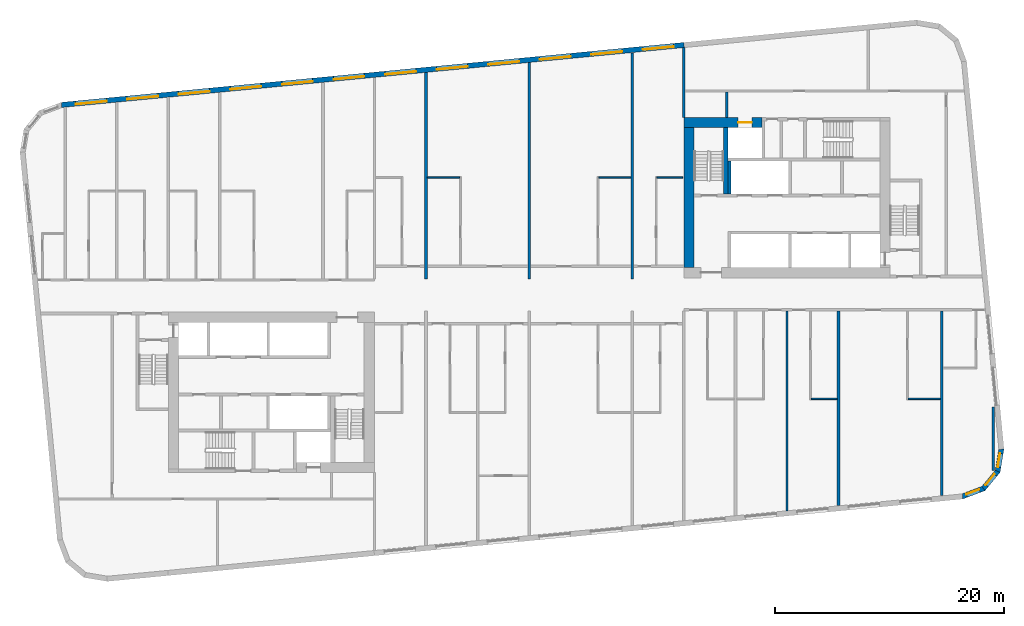
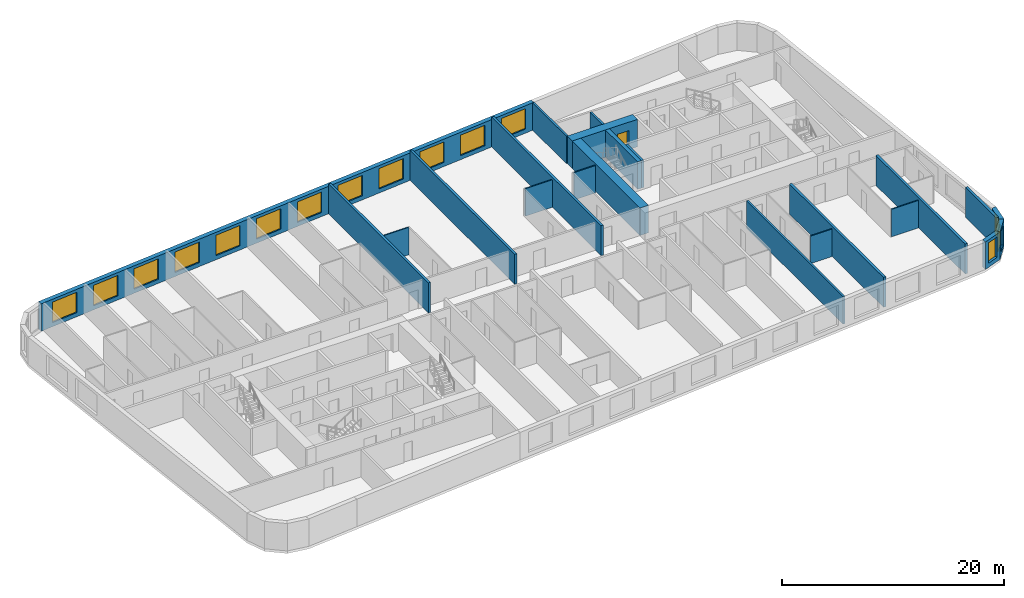
# One storey, part 6 of 12: 22 walls, 15 windows, 1 door, 16 openings.
"""IFC4 building model written with IfcOpenShell, lengths in metres."""

from ifc_helpers import new_model, si_unit, direction, frame, frame_2d, origin, place, context, subcontext, project, spatial, polyline, rectangle, outline, extrude, material, layer, layer_set, type_object, element, fill, save


model = new_model("IFC4")

# Units and contexts
model_context = context("Model", 3, precision=1e-05, world=origin(), true_north=direction((0.0, 1.0)))
body_context = subcontext(model_context, "Body", "Model", "MODEL_VIEW")
ifc_project = project(units=[si_unit("LENGTHUNIT", "METRE"), si_unit("AREAUNIT", "SQUARE_METRE"), si_unit("VOLUMEUNIT", "CUBIC_METRE"), si_unit("PLANEANGLEUNIT", "RADIAN"), si_unit("MASSUNIT", "GRAM", prefix="KILO")], contexts=[model_context])

# Site, building, storey
site_placement = place(None, origin())
site = spatial("IfcSite", under=ifc_project, at=site_placement, CompositionType="ELEMENT")
building_placement = place(site_placement, origin())
building = spatial("IfcBuilding", under=site, at=building_placement, Name="Kajstack Hotel Tower", CompositionType="ELEMENT")
storey_placement = place(building_placement, frame((0.0, 0.0, 199.89990234375)))
storey = spatial("IfcBuildingStorey", under=building, at=storey_placement, Name="L48", CompositionType="ELEMENT", Elevation=199.89990234375)

# Wall, opening, door
ifc_material_1 = material(Name="Concrete C60/75", Category="concrete")
ifc_layer_1 = layer(ifc_material_1, 0.89990234375)
ifc_layer_set_1 = layer_set([ifc_layer_1], Name="Core wall 900")
wall_type_1 = type_object("IfcWallType", Name="Core wall 900", PredefinedType="SHEAR", material=ifc_layer_set_1)
wall_1_placement = place(storey_placement, frame((13.5, 15.050048828125, 0.0), z_axis=(0.0, 0.0, 1.0), x_axis=(1.0, 0.0, 0.0)))
wall_1 = element("IfcWall", 1, at=wall_1_placement, inside=storey, type_object=wall_type_1, Name="Core wall E RS", PredefinedType="SHEAR", context=body_context, shape_type="SweptSolid", body=[
    extrude(rectangle(XDim=6.800048828125, YDim=0.89990234375, at=frame_2d((3.39990234375, 0.0))), origin(), (0.0, 0.0, 1.0), 3.02001953125),
])
opening_1_placement = place(wall_1_placement, frame((4.72509765625, 0.0, 0.0)))
opening_1 = element("IfcOpeningElement", 2, at=opening_1_placement, cuts=wall_1, Name="Opening LD-SV2", PredefinedType="OPENING", context=body_context, shape_type="SweptSolid", body=[
    extrude(rectangle(XDim=1.199951171875, YDim=2.10009765625, at=frame_2d((0.60009765625, 1.050048828125))), frame((0.0, 0.4599609375, 0.0), z_axis=(0.0, -1.0, 0.0), x_axis=(1.0, 0.0, 0.0)), (0.0, 0.0, 1.0), 0.919921875),
])
ifc_material_2 = material(Name="Stainless steel", Category="steel")
door_type = type_object("IfcDoorType", Name="Lift landing door 1200", OperationType="SLIDING_TO_LEFT", PredefinedType="DOOR", material=ifc_material_2)
door_placement = place(opening_1_placement, origin())
door = element("IfcDoor", 3, at=door_placement, inside=storey, type_object=door_type, Name="Landing door SV2", OperationType="SLIDING_TO_LEFT", OverallHeight=2.10009765625, OverallWidth=1.199951171875, PredefinedType="DOOR", context=body_context, shape_type="SweptSolid", body=[
    extrude(rectangle(XDim=1.199951171875, YDim=2.10009765625, at=frame_2d((0.60009765625, 1.050048828125))), frame((0.0, 0.02490234375, 0.0), z_axis=(0.0, -1.0, 0.0), x_axis=(1.0, 0.0, 0.0)), (0.0, 0.0, 1.0), 0.050048828125),
])
fill(opening_1, door)

# Walls
wall_2_placement = place(storey_placement, frame((13.949951171875, 2.39990234375, 0.0), z_axis=(0.0, 0.0, 1.0), x_axis=(0.0, 1.0, 0.0)))
element("IfcWall", 4, at=wall_2_placement, inside=storey, type_object=wall_type_1, Name="Core wall E RE", PredefinedType="SHEAR", context=body_context, shape_type="SweptSolid", body=[
    extrude(rectangle(XDim=12.2001953125, YDim=0.89990234375, at=frame_2d((6.10009765625, 0.0))), origin(), (0.0, 0.0, 1.0), 3.02001953125),
])
ifc_material_3 = material(Name="Twin-frame gypsum board on steel studs, mineral wool", Category="steel")
ifc_layer_2 = layer(ifc_material_3, 0.199951171875)
ifc_layer_set_2 = layer_set([ifc_layer_2], Name="Demising wall 200")
wall_type_2 = type_object("IfcWallType", Name="Demising wall 200", PredefinedType="PARTITIONING", material=ifc_layer_set_2)
wall_3_placement = place(storey_placement, frame((13.5, 15.5, 0.0), z_axis=(0.0, 0.0, 1.0), x_axis=(0.0, 1.0, 0.0)))
element("IfcWall", 5, at=wall_3_placement, inside=storey, type_object=wall_type_2, Name="G-wall-L48-001", PredefinedType="PARTITIONING", context=body_context, shape_type="SweptSolid", body=[
    extrude(rectangle(XDim=6.089111328125, YDim=0.199951171875, at=frame_2d((3.04443359375, 0.0))), origin(), (0.0, 0.0, 1.0), 3.02001953125),
])
wall_4_placement = place(storey_placement, frame((22.5, -18.833984375, 0.0), z_axis=(0.0, 0.0, 1.0), x_axis=(0.0, 1.0, 0.0)))
element("IfcWall", 6, at=wall_4_placement, inside=storey, type_object=wall_type_2, Name="G-wall-L48-045", PredefinedType="PARTITIONING", context=body_context, shape_type="SweptSolid", body=[
    extrude(rectangle(XDim=17.43408203125, YDim=0.199951171875, at=frame_2d((8.717041015625, 0.0))), origin(), (0.0, 0.0, 1.0), 3.02001953125),
])

# Wall, opening, window
ifc_material_4 = material(Name="Terracotta-faced brick masonry", Category="masonry")
ifc_layer_3 = layer(ifc_material_4, 0.449951171875)
ifc_layer_set_3 = layer_set([ifc_layer_3], Name="EW-TERRA")
wall_type_3 = type_object("IfcWallType", Name="EW-TERRA", PredefinedType="SOLIDWALL", material=ifc_layer_set_3)
wall_5_placement = place(storey_placement, frame((37.76123046875, -17.598388671875, 0.0), z_axis=(0.0, 0.0, 1.0), x_axis=(0.936677599948, 0.350192909346, 0.0)))
wall_5 = element("IfcWall", 7, at=wall_5_placement, inside=storey, type_object=wall_type_3, Name="E-wall-L48-05-00", PredefinedType="SOLIDWALL", context=body_context, shape_type="SweptSolid", body=[
    extrude(outline(polyline([(0.0, -0.22509765625), (2.070556640625, -0.224853515625), (1.949951171875, 0.22509765625), (0.12060546875, 0.22509765625), (0.0, -0.22509765625)])), origin(), (0.0, 0.0, 1.0), 3.02001953125),
])
opening_2_placement = place(wall_5_placement, frame((0.435302734375, 0.0, 0.449951171875)))
opening_2 = element("IfcOpeningElement", 8, at=opening_2_placement, cuts=wall_5, Name="Opening W3", PredefinedType="OPENING", context=body_context, shape_type="SweptSolid", body=[
    extrude(rectangle(XDim=1.199951171875, YDim=2.25, at=frame_2d((0.60009765625, 1.125))), frame((0.0, 0.23486328125, 0.0), z_axis=(0.0, -1.0, 0.0), x_axis=(1.0, 0.0, 0.0)), (0.0, 0.0, 1.0), 0.469970703125),
])
ifc_material_5 = material(Name="Timber-aluminium window, triple glazed", Category="wood")
window_type_1 = type_object("IfcWindowType", Name="WG3", PartitioningType="SINGLE_PANEL", PredefinedType="WINDOW", material=ifc_material_5)
window_1_placement = place(opening_2_placement, origin())
window_1 = element("IfcWindow", 9, at=window_1_placement, inside=storey, type_object=window_type_1, Name="Window W3 L48-05", OverallHeight=2.25, OverallWidth=1.199951171875, PartitioningType="SINGLE_PANEL", PredefinedType="WINDOW", context=body_context, shape_type="SweptSolid", body=[
    extrude(rectangle(XDim=1.199951171875, YDim=2.25, at=frame_2d((0.60009765625, 1.125))), frame((0.0, 0.090087890625, 0.0), z_axis=(0.0, -1.0, 0.0), x_axis=(1.0, 0.0, 0.0)), (0.0, 0.0, 1.0), 0.06005859375),
])
fill(opening_2, window_1)

wall_6_placement = place(storey_placement, frame((39.60595703125, -16.94091796875, 0.0), z_axis=(0.0, 0.0, 1.0), x_axis=(0.636116318187, 0.771593176315, 0.0)))
wall_6 = element("IfcWall", 10, at=wall_6_placement, inside=storey, type_object=wall_type_3, Name="E-wall-L48-06-00", PredefinedType="SOLIDWALL", context=body_context, shape_type="SweptSolid", body=[
    extrude(outline(polyline([(0.0, -0.224853515625), (2.070556640625, -0.224853515625), (1.949951171875, 0.22509765625), (0.12060546875, 0.22509765625), (0.0, -0.224853515625)])), origin(), (0.0, 0.0, 1.0), 3.02001953125),
])
opening_3_placement = place(wall_6_placement, frame((0.435302734375, 0.0, 0.449951171875)))
opening_3 = element("IfcOpeningElement", 11, at=opening_3_placement, cuts=wall_6, Name="Opening W3", PredefinedType="OPENING", context=body_context, shape_type="SweptSolid", body=[
    extrude(rectangle(XDim=1.199951171875, YDim=2.25, at=frame_2d((0.60009765625, 1.125))), frame((0.0, 0.23486328125, 0.0), z_axis=(0.0, -1.0, 0.0), x_axis=(1.0, 0.0, 0.0)), (0.0, 0.0, 1.0), 0.469970703125),
])
window_2_placement = place(opening_3_placement, origin())
window_2 = element("IfcWindow", 12, at=window_2_placement, inside=storey, type_object=window_type_1, Name="Window W3 L48-06", OverallHeight=2.25, OverallWidth=1.199951171875, PartitioningType="SINGLE_PANEL", PredefinedType="WINDOW", context=body_context, shape_type="SweptSolid", body=[
    extrude(rectangle(XDim=1.199951171875, YDim=2.25, at=frame_2d((0.60009765625, 1.125))), frame((0.0, 0.090087890625, 0.0), z_axis=(0.0, -1.0, 0.0), x_axis=(1.0, 0.0, 0.0)), (0.0, 0.0, 1.0), 0.06005859375),
])
fill(opening_3, window_2)

wall_7_placement = place(storey_placement, frame((40.874755859375, -15.44921875, 0.0), z_axis=(0.0, 0.0, 1.0), x_axis=(0.164953448126, 0.986301353518, 0.0)))
wall_7 = element("IfcWall", 13, at=wall_7_placement, inside=storey, type_object=wall_type_3, Name="E-wall-L48-07-00", PredefinedType="SOLIDWALL", context=body_context, shape_type="SweptSolid", body=[
    extrude(outline(polyline([(0.0, -0.224853515625), (2.070556640625, -0.22509765625), (1.9501953125, 0.224853515625), (0.12060546875, 0.22509765625), (0.0, -0.224853515625)])), origin(), (0.0, 0.0, 1.0), 3.02001953125),
])
opening_4_placement = place(wall_7_placement, frame((0.435302734375, 0.0, 0.449951171875)))
opening_4 = element("IfcOpeningElement", 14, at=opening_4_placement, cuts=wall_7, Name="Opening W3", PredefinedType="OPENING", context=body_context, shape_type="SweptSolid", body=[
    extrude(rectangle(XDim=1.199951171875, YDim=2.25, at=frame_2d((0.60009765625, 1.125))), frame((0.0, 0.23486328125, 0.0), z_axis=(0.0, -1.0, 0.0), x_axis=(1.0, 0.0, 0.0)), (0.0, 0.0, 1.0), 0.469970703125),
])
window_3_placement = place(opening_4_placement, origin())
window_3 = element("IfcWindow", 15, at=window_3_placement, inside=storey, type_object=window_type_1, Name="Window W3 L48-07", OverallHeight=2.25, OverallWidth=1.199951171875, PartitioningType="SINGLE_PANEL", PredefinedType="WINDOW", context=body_context, shape_type="SweptSolid", body=[
    extrude(rectangle(XDim=1.199951171875, YDim=2.25, at=frame_2d((0.60009765625, 1.125))), frame((0.0, 0.090087890625, 0.0), z_axis=(0.0, -1.0, 0.0), x_axis=(1.0, 0.0, 0.0)), (0.0, 0.0, 1.0), 0.06005859375),
])
fill(opening_4, window_3)

# Wall, openings, windows
wall_8_placement = place(storey_placement, frame((13.521484375, 21.8173828125, 0.0), z_axis=(0.0, 0.0, 1.0), x_axis=(-0.995396508751, -0.095842529008, 0.0)))
wall_8 = element("IfcWall", 16, at=wall_8_placement, inside=storey, type_object=wall_type_3, Name="E-wall-L48-12-02", PredefinedType="SOLIDWALL", context=body_context, shape_type="SweptSolid", body=[
    extrude(rectangle(XDim=54.59130859375, YDim=0.449951171875, at=frame_2d((27.295654296875, 0.0))), origin(), (0.0, 0.0, 1.0), 3.02001953125),
])
opening_5_placement = place(wall_8_placement, frame((0.910400390625, 0.0, 0.449951171875)))
opening_5 = element("IfcOpeningElement", 17, at=opening_5_placement, cuts=wall_8, Name="Opening W1", PredefinedType="OPENING", context=body_context, shape_type="SweptSolid", body=[
    extrude(rectangle(XDim=2.699951171875, YDim=2.25, at=frame_2d((1.35009765625, 1.125))), frame((0.0, 0.23486328125, 0.0), z_axis=(0.0, -1.0, 0.0), x_axis=(1.0, 0.0, 0.0)), (0.0, 0.0, 1.0), 0.469970703125),
])
opening_6_placement = place(wall_8_placement, frame((5.43115234375, 0.0, 0.449951171875)))
opening_6 = element("IfcOpeningElement", 18, at=opening_6_placement, cuts=wall_8, Name="Opening W1", PredefinedType="OPENING", context=body_context, shape_type="SweptSolid", body=[
    extrude(rectangle(XDim=2.699951171875, YDim=2.25, at=frame_2d((1.35009765625, 1.125))), frame((0.0, 0.23486328125, 0.0), z_axis=(0.0, -1.0, 0.0), x_axis=(1.0, 0.0, 0.0)), (0.0, 0.0, 1.0), 0.469970703125),
])
opening_7_placement = place(wall_8_placement, frame((9.951904296875, 0.0, 0.449951171875)))
opening_7 = element("IfcOpeningElement", 19, at=opening_7_placement, cuts=wall_8, Name="Opening W1", PredefinedType="OPENING", context=body_context, shape_type="SweptSolid", body=[
    extrude(rectangle(XDim=2.699951171875, YDim=2.25, at=frame_2d((1.35009765625, 1.125))), frame((0.0, 0.23486328125, 0.0), z_axis=(0.0, -1.0, 0.0), x_axis=(1.0, 0.0, 0.0)), (0.0, 0.0, 1.0), 0.469970703125),
])
opening_8_placement = place(wall_8_placement, frame((14.472900390625, 0.0, 0.449951171875)))
opening_8 = element("IfcOpeningElement", 20, at=opening_8_placement, cuts=wall_8, Name="Opening W1", PredefinedType="OPENING", context=body_context, shape_type="SweptSolid", body=[
    extrude(rectangle(XDim=2.699951171875, YDim=2.25, at=frame_2d((1.35009765625, 1.125))), frame((0.0, 0.23486328125, 0.0), z_axis=(0.0, -1.0, 0.0), x_axis=(1.0, 0.0, 0.0)), (0.0, 0.0, 1.0), 0.469970703125),
])
opening_9_placement = place(wall_8_placement, frame((18.99365234375, 0.0, 0.449951171875)))
opening_9 = element("IfcOpeningElement", 21, at=opening_9_placement, cuts=wall_8, Name="Opening W1", PredefinedType="OPENING", context=body_context, shape_type="SweptSolid", body=[
    extrude(rectangle(XDim=2.699951171875, YDim=2.25, at=frame_2d((1.35009765625, 1.125))), frame((0.0, 0.23486328125, 0.0), z_axis=(0.0, -1.0, 0.0), x_axis=(1.0, 0.0, 0.0)), (0.0, 0.0, 1.0), 0.469970703125),
])
opening_10_placement = place(wall_8_placement, frame((23.514404296875, 0.0, 0.449951171875)))
opening_10 = element("IfcOpeningElement", 22, at=opening_10_placement, cuts=wall_8, Name="Opening W1", PredefinedType="OPENING", context=body_context, shape_type="SweptSolid", body=[
    extrude(rectangle(XDim=2.699951171875, YDim=2.25, at=frame_2d((1.35009765625, 1.125))), frame((0.0, 0.23486328125, 0.0), z_axis=(0.0, -1.0, 0.0), x_axis=(1.0, 0.0, 0.0)), (0.0, 0.0, 1.0), 0.469970703125),
])
opening_11_placement = place(wall_8_placement, frame((28.03515625, 0.0, 0.449951171875)))
opening_11 = element("IfcOpeningElement", 23, at=opening_11_placement, cuts=wall_8, Name="Opening W1", PredefinedType="OPENING", context=body_context, shape_type="SweptSolid", body=[
    extrude(rectangle(XDim=2.699951171875, YDim=2.25, at=frame_2d((1.35009765625, 1.125))), frame((0.0, 0.23486328125, 0.0), z_axis=(0.0, -1.0, 0.0), x_axis=(1.0, 0.0, 0.0)), (0.0, 0.0, 1.0), 0.469970703125),
])
opening_12_placement = place(wall_8_placement, frame((32.555908203125, 0.0, 0.449951171875)))
opening_12 = element("IfcOpeningElement", 24, at=opening_12_placement, cuts=wall_8, Name="Opening W1", PredefinedType="OPENING", context=body_context, shape_type="SweptSolid", body=[
    extrude(rectangle(XDim=2.699951171875, YDim=2.25, at=frame_2d((1.35009765625, 1.125))), frame((0.0, 0.23486328125, 0.0), z_axis=(0.0, -1.0, 0.0), x_axis=(1.0, 0.0, 0.0)), (0.0, 0.0, 1.0), 0.469970703125),
])
opening_13_placement = place(wall_8_placement, frame((37.076904296875, 0.0, 0.449951171875)))
opening_13 = element("IfcOpeningElement", 25, at=opening_13_placement, cuts=wall_8, Name="Opening W1", PredefinedType="OPENING", context=body_context, shape_type="SweptSolid", body=[
    extrude(rectangle(XDim=2.699951171875, YDim=2.25, at=frame_2d((1.35009765625, 1.125))), frame((0.0, 0.23486328125, 0.0), z_axis=(0.0, -1.0, 0.0), x_axis=(1.0, 0.0, 0.0)), (0.0, 0.0, 1.0), 0.469970703125),
])
opening_14_placement = place(wall_8_placement, frame((41.59765625, 0.0, 0.449951171875)))
opening_14 = element("IfcOpeningElement", 26, at=opening_14_placement, cuts=wall_8, Name="Opening W1", PredefinedType="OPENING", context=body_context, shape_type="SweptSolid", body=[
    extrude(rectangle(XDim=2.699951171875, YDim=2.25, at=frame_2d((1.35009765625, 1.125))), frame((0.0, 0.23486328125, 0.0), z_axis=(0.0, -1.0, 0.0), x_axis=(1.0, 0.0, 0.0)), (0.0, 0.0, 1.0), 0.469970703125),
])
opening_15_placement = place(wall_8_placement, frame((46.118408203125, 0.0, 0.449951171875)))
opening_15 = element("IfcOpeningElement", 27, at=opening_15_placement, cuts=wall_8, Name="Opening W1", PredefinedType="OPENING", context=body_context, shape_type="SweptSolid", body=[
    extrude(rectangle(XDim=2.699951171875, YDim=2.25, at=frame_2d((1.35009765625, 1.125))), frame((0.0, 0.23486328125, 0.0), z_axis=(0.0, -1.0, 0.0), x_axis=(1.0, 0.0, 0.0)), (0.0, 0.0, 1.0), 0.469970703125),
])
opening_16_placement = place(wall_8_placement, frame((50.62890625, 0.0, 0.449951171875)))
opening_16 = element("IfcOpeningElement", 28, at=opening_16_placement, cuts=wall_8, Name="Opening W1", PredefinedType="OPENING", context=body_context, shape_type="SweptSolid", body=[
    extrude(rectangle(XDim=2.699951171875, YDim=2.25, at=frame_2d((1.35009765625, 1.125))), frame((0.0, 0.23486328125, 0.0), z_axis=(0.0, -1.0, 0.0), x_axis=(1.0, 0.0, 0.0)), (0.0, 0.0, 1.0), 0.469970703125),
])
window_type_2 = type_object("IfcWindowType", Name="WG1", PartitioningType="SINGLE_PANEL", PredefinedType="WINDOW", material=ifc_material_5)
window_4_placement = place(opening_5_placement, origin())
window_4 = element("IfcWindow", 29, at=window_4_placement, inside=storey, type_object=window_type_2, Name="Window W1 L48-12", OverallHeight=2.25, OverallWidth=2.699951171875, PartitioningType="SINGLE_PANEL", PredefinedType="WINDOW", context=body_context, shape_type="SweptSolid", body=[
    extrude(rectangle(XDim=2.699951171875, YDim=2.25, at=frame_2d((1.35009765625, 1.125))), frame((0.0, 0.090087890625, 0.0), z_axis=(0.0, -1.0, 0.0), x_axis=(1.0, 0.0, 0.0)), (0.0, 0.0, 1.0), 0.06005859375),
])
fill(opening_5, window_4)
window_5_placement = place(opening_6_placement, origin())
window_5 = element("IfcWindow", 30, at=window_5_placement, inside=storey, type_object=window_type_2, Name="Window W1 L48-12", OverallHeight=2.25, OverallWidth=2.699951171875, PartitioningType="SINGLE_PANEL", PredefinedType="WINDOW", context=body_context, shape_type="SweptSolid", body=[
    extrude(rectangle(XDim=2.699951171875, YDim=2.25, at=frame_2d((1.35009765625, 1.125))), frame((0.0, 0.090087890625, 0.0), z_axis=(0.0, -1.0, 0.0), x_axis=(1.0, 0.0, 0.0)), (0.0, 0.0, 1.0), 0.06005859375),
])
fill(opening_6, window_5)
window_6_placement = place(opening_7_placement, origin())
window_6 = element("IfcWindow", 31, at=window_6_placement, inside=storey, type_object=window_type_2, Name="Window W1 L48-12", OverallHeight=2.25, OverallWidth=2.699951171875, PartitioningType="SINGLE_PANEL", PredefinedType="WINDOW", context=body_context, shape_type="SweptSolid", body=[
    extrude(rectangle(XDim=2.699951171875, YDim=2.25, at=frame_2d((1.35009765625, 1.125))), frame((0.0, 0.090087890625, 0.0), z_axis=(0.0, -1.0, 0.0), x_axis=(1.0, 0.0, 0.0)), (0.0, 0.0, 1.0), 0.06005859375),
])
fill(opening_7, window_6)
window_7_placement = place(opening_8_placement, origin())
window_7 = element("IfcWindow", 32, at=window_7_placement, inside=storey, type_object=window_type_2, Name="Window W1 L48-12", OverallHeight=2.25, OverallWidth=2.699951171875, PartitioningType="SINGLE_PANEL", PredefinedType="WINDOW", context=body_context, shape_type="SweptSolid", body=[
    extrude(rectangle(XDim=2.699951171875, YDim=2.25, at=frame_2d((1.35009765625, 1.125))), frame((0.0, 0.090087890625, 0.0), z_axis=(0.0, -1.0, 0.0), x_axis=(1.0, 0.0, 0.0)), (0.0, 0.0, 1.0), 0.06005859375),
])
fill(opening_8, window_7)
window_8_placement = place(opening_9_placement, origin())
window_8 = element("IfcWindow", 33, at=window_8_placement, inside=storey, type_object=window_type_2, Name="Window W1 L48-12", OverallHeight=2.25, OverallWidth=2.699951171875, PartitioningType="SINGLE_PANEL", PredefinedType="WINDOW", context=body_context, shape_type="SweptSolid", body=[
    extrude(rectangle(XDim=2.699951171875, YDim=2.25, at=frame_2d((1.35009765625, 1.125))), frame((0.0, 0.090087890625, 0.0), z_axis=(0.0, -1.0, 0.0), x_axis=(1.0, 0.0, 0.0)), (0.0, 0.0, 1.0), 0.06005859375),
])
fill(opening_9, window_8)
window_9_placement = place(opening_10_placement, origin())
window_9 = element("IfcWindow", 34, at=window_9_placement, inside=storey, type_object=window_type_2, Name="Window W1 L48-12", OverallHeight=2.25, OverallWidth=2.699951171875, PartitioningType="SINGLE_PANEL", PredefinedType="WINDOW", context=body_context, shape_type="SweptSolid", body=[
    extrude(rectangle(XDim=2.699951171875, YDim=2.25, at=frame_2d((1.35009765625, 1.125))), frame((0.0, 0.090087890625, 0.0), z_axis=(0.0, -1.0, 0.0), x_axis=(1.0, 0.0, 0.0)), (0.0, 0.0, 1.0), 0.06005859375),
])
fill(opening_10, window_9)
window_10_placement = place(opening_11_placement, origin())
window_10 = element("IfcWindow", 35, at=window_10_placement, inside=storey, type_object=window_type_2, Name="Window W1 L48-12", OverallHeight=2.25, OverallWidth=2.699951171875, PartitioningType="SINGLE_PANEL", PredefinedType="WINDOW", context=body_context, shape_type="SweptSolid", body=[
    extrude(rectangle(XDim=2.699951171875, YDim=2.25, at=frame_2d((1.35009765625, 1.125))), frame((0.0, 0.090087890625, 0.0), z_axis=(0.0, -1.0, 0.0), x_axis=(1.0, 0.0, 0.0)), (0.0, 0.0, 1.0), 0.06005859375),
])
fill(opening_11, window_10)
window_11_placement = place(opening_12_placement, origin())
window_11 = element("IfcWindow", 36, at=window_11_placement, inside=storey, type_object=window_type_2, Name="Window W1 L48-12", OverallHeight=2.25, OverallWidth=2.699951171875, PartitioningType="SINGLE_PANEL", PredefinedType="WINDOW", context=body_context, shape_type="SweptSolid", body=[
    extrude(rectangle(XDim=2.699951171875, YDim=2.25, at=frame_2d((1.35009765625, 1.125))), frame((0.0, 0.090087890625, 0.0), z_axis=(0.0, -1.0, 0.0), x_axis=(1.0, 0.0, 0.0)), (0.0, 0.0, 1.0), 0.06005859375),
])
fill(opening_12, window_11)
window_12_placement = place(opening_13_placement, origin())
window_12 = element("IfcWindow", 37, at=window_12_placement, inside=storey, type_object=window_type_2, Name="Window W1 L48-12", OverallHeight=2.25, OverallWidth=2.699951171875, PartitioningType="SINGLE_PANEL", PredefinedType="WINDOW", context=body_context, shape_type="SweptSolid", body=[
    extrude(rectangle(XDim=2.699951171875, YDim=2.25, at=frame_2d((1.35009765625, 1.125))), frame((0.0, 0.090087890625, 0.0), z_axis=(0.0, -1.0, 0.0), x_axis=(1.0, 0.0, 0.0)), (0.0, 0.0, 1.0), 0.06005859375),
])
fill(opening_13, window_12)
window_13_placement = place(opening_14_placement, origin())
window_13 = element("IfcWindow", 38, at=window_13_placement, inside=storey, type_object=window_type_2, Name="Window W1 L48-12", OverallHeight=2.25, OverallWidth=2.699951171875, PartitioningType="SINGLE_PANEL", PredefinedType="WINDOW", context=body_context, shape_type="SweptSolid", body=[
    extrude(rectangle(XDim=2.699951171875, YDim=2.25, at=frame_2d((1.35009765625, 1.125))), frame((0.0, 0.090087890625, 0.0), z_axis=(0.0, -1.0, 0.0), x_axis=(1.0, 0.0, 0.0)), (0.0, 0.0, 1.0), 0.06005859375),
])
fill(opening_14, window_13)
window_14_placement = place(opening_15_placement, origin())
window_14 = element("IfcWindow", 39, at=window_14_placement, inside=storey, type_object=window_type_2, Name="Window W1 L48-12", OverallHeight=2.25, OverallWidth=2.699951171875, PartitioningType="SINGLE_PANEL", PredefinedType="WINDOW", context=body_context, shape_type="SweptSolid", body=[
    extrude(rectangle(XDim=2.699951171875, YDim=2.25, at=frame_2d((1.35009765625, 1.125))), frame((0.0, 0.090087890625, 0.0), z_axis=(0.0, -1.0, 0.0), x_axis=(1.0, 0.0, 0.0)), (0.0, 0.0, 1.0), 0.06005859375),
])
fill(opening_15, window_14)
window_15_placement = place(opening_16_placement, origin())
window_15 = element("IfcWindow", 40, at=window_15_placement, inside=storey, type_object=window_type_2, Name="Window W1 L48-12", OverallHeight=2.25, OverallWidth=2.699951171875, PartitioningType="SINGLE_PANEL", PredefinedType="WINDOW", context=body_context, shape_type="SweptSolid", body=[
    extrude(rectangle(XDim=2.699951171875, YDim=2.25, at=frame_2d((1.35009765625, 1.125))), frame((0.0, 0.090087890625, 0.0), z_axis=(0.0, -1.0, 0.0), x_axis=(1.0, 0.0, 0.0)), (0.0, 0.0, 1.0), 0.06005859375),
])
fill(opening_16, window_15)

# Walls
ifc_material_6 = material(Name="Gypsum board and tiled backer on steel studs", Category="steel")
ifc_layer_4 = layer(ifc_material_6, 0.125)
ifc_layer_set_4 = layer_set([ifc_layer_4], Name="En-suite wall 125")
wall_type_4 = type_object("IfcWallType", Name="En-suite wall 125", PredefinedType="PARTITIONING", material=ifc_layer_set_4)
for number, where, z_axis, x_axis, name in (
    (41, (-8.875, 10.261962890625, 0.0), (0.0, 0.0, 1.0), (1.0, 0.0, 0.0), "G-wall-L48-023"),
    (42, (6.074951171875, 10.261962890625, 0.0), (0.0, 0.0, 1.0), (1.0, 0.0, 0.0), "G-wall-L48-025"),
):
    element("IfcWall", number, at=place(storey_placement, frame(where, z_axis=z_axis, x_axis=x_axis)), inside=storey, type_object=wall_type_4, Name=name, PredefinedType="PARTITIONING", context=body_context, shape_type="SweptSolid", body=[
        extrude(rectangle(XDim=2.800048828125, YDim=0.125, at=frame_2d((1.39990234375, 0.0))), origin(), (0.0, 0.0, 1.0), 3.02001953125),
    ])
for number, where, z_axis, x_axis, name in (
    (43, (11.14990234375, 10.261962890625, 0.0), (0.0, 0.0, 1.0), (1.0, 0.0, 0.0), "G-wall-L48-027"),
    (44, (24.625, -9.06201171875, 0.0), (0.0, 0.0, 1.0), (1.0, 0.0, 0.0), "G-wall-L48-049"),
):
    element("IfcWall", number, at=place(storey_placement, frame(where, z_axis=z_axis, x_axis=x_axis)), inside=storey, type_object=wall_type_4, Name=name, PredefinedType="PARTITIONING", context=body_context, shape_type="SweptSolid", body=[
        extrude(rectangle(XDim=2.25, YDim=0.125, at=frame_2d((1.125, 0.0))), origin(), (0.0, 0.0, 1.0), 3.02001953125),
    ])
wall_9_placement = place(storey_placement, frame((33.074951171875, -9.06201171875, 0.0), z_axis=(0.0, 0.0, 1.0), x_axis=(1.0, 0.0, 0.0)))
element("IfcWall", 45, at=wall_9_placement, inside=storey, type_object=wall_type_4, Name="G-wall-L48-051", PredefinedType="PARTITIONING", context=body_context, shape_type="SweptSolid", body=[
    extrude(rectangle(XDim=2.800048828125, YDim=0.125, at=frame_2d((1.39990234375, 0.0))), origin(), (0.0, 0.0, 1.0), 3.02001953125),
])
ifc_material_7 = material(Name="Concrete C50/60", Category="concrete")
ifc_layer_5 = layer(ifc_material_7, 0.25)
ifc_layer_set_5 = layer_set([ifc_layer_5], Name="RC cross wall 250 C50/60")
wall_type_5 = type_object("IfcWallType", Name="RC cross wall 250 C50/60", PredefinedType="SHEAR", material=ifc_layer_set_5)
wall_10_placement = place(storey_placement, frame((-9.0, 1.39990234375, 0.0), z_axis=(0.0, 0.0, 1.0), x_axis=(0.0, 1.0, 0.0)))
element("IfcWall", 46, at=wall_10_placement, inside=storey, type_object=wall_type_5, Name="S-wall-L48-05", PredefinedType="SHEAR", context=body_context, shape_type="SweptSolid", body=[
    extrude(rectangle(XDim=18.0009765625, YDim=0.25, at=frame_2d((9.00048828125, 0.0))), origin(), (0.0, 0.0, 1.0), 3.300048828125),
])
wall_11_placement = place(storey_placement, frame((0.0, 1.39990234375, 0.0), z_axis=(0.0, 0.0, 1.0), x_axis=(0.0, 1.0, 0.0)))
element("IfcWall", 47, at=wall_11_placement, inside=storey, type_object=wall_type_5, Name="S-wall-L48-07", PredefinedType="SHEAR", context=body_context, shape_type="SweptSolid", body=[
    extrude(rectangle(XDim=18.867431640625, YDim=0.25, at=frame_2d((9.43359375, 0.0))), origin(), (0.0, 0.0, 1.0), 3.300048828125),
])
wall_12_placement = place(storey_placement, frame((9.0, 1.39990234375, 0.0), z_axis=(0.0, 0.0, 1.0), x_axis=(0.0, 1.0, 0.0)))
element("IfcWall", 48, at=wall_12_placement, inside=storey, type_object=wall_type_5, Name="S-wall-L48-09", PredefinedType="SHEAR", context=body_context, shape_type="SweptSolid", body=[
    extrude(rectangle(XDim=19.734130859375, YDim=0.25, at=frame_2d((9.8671875, 0.0))), origin(), (0.0, 0.0, 1.0), 3.300048828125),
])
wall_13_placement = place(storey_placement, frame((27.0, -18.378662109375, 0.0), z_axis=(0.0, 0.0, 1.0), x_axis=(0.0, 1.0, 0.0)))
element("IfcWall", 49, at=wall_13_placement, inside=storey, type_object=wall_type_5, Name="S-wall-L48-11", PredefinedType="SHEAR", context=body_context, shape_type="SweptSolid", body=[
    extrude(rectangle(XDim=16.978759765625, YDim=0.25, at=frame_2d((8.4892578125, 0.0))), origin(), (0.0, 0.0, 1.0), 3.300048828125),
])
wall_14_placement = place(storey_placement, frame((36.0, -17.51220703125, 0.0), z_axis=(0.0, 0.0, 1.0), x_axis=(0.0, 1.0, 0.0)))
element("IfcWall", 50, at=wall_14_placement, inside=storey, type_object=wall_type_5, Name="S-wall-L48-12", PredefinedType="SHEAR", context=body_context, shape_type="SweptSolid", body=[
    extrude(rectangle(XDim=16.1123046875, YDim=0.25, at=frame_2d((8.05615234375, 0.0))), origin(), (0.0, 0.0, 1.0), 3.300048828125),
])
wall_15_placement = place(storey_placement, frame((40.5, -15.335205078125, 0.0), z_axis=(0.0, 0.0, 1.0), x_axis=(0.0, 1.0, 0.0)))
element("IfcWall", 51, at=wall_15_placement, inside=storey, type_object=wall_type_5, Name="S-wall-L48-13", PredefinedType="SHEAR", context=body_context, shape_type="SweptSolid", body=[
    extrude(rectangle(XDim=5.5380859375, YDim=0.25, at=frame_2d((2.76904296875, 0.0))), origin(), (0.0, 0.0, 1.0), 3.300048828125),
])
ifc_material_8 = material(Name="Gypsum board on steel studs, mineral wool", Category="steel")
ifc_layer_6 = layer(ifc_material_8, 0.199951171875)
ifc_layer_set_6 = layer_set([ifc_layer_6], Name="Service partition 200")
wall_type_6 = type_object("IfcWallType", Name="Service partition 200", PredefinedType="PARTITIONING", material=ifc_layer_set_6)
wall_16_placement = place(storey_placement, frame((17.25, 15.5, 0.0), z_axis=(0.0, 0.0, 1.0), x_axis=(0.0, 1.0, 0.0)))
element("IfcWall", 52, at=wall_16_placement, inside=storey, type_object=wall_type_6, Name="Partition E SCE", PredefinedType="PARTITIONING", context=body_context, shape_type="SweptSolid", body=[
    extrude(rectangle(XDim=2.199951171875, YDim=0.199951171875, at=frame_2d((1.10009765625, 0.0))), origin(), (0.0, 0.0, 1.0), 3.02001953125),
])
ifc_layer_7 = layer(ifc_material_7, 0.25)
ifc_layer_set_7 = layer_set([ifc_layer_7], Name="Shaft wall 250")
wall_type_7 = type_object("IfcWallType", Name="Shaft wall 250", PredefinedType="SHEAR", material=ifc_layer_set_7)
wall_17_placement = place(storey_placement, frame((17.47509765625, 8.800048828125, 0.0), z_axis=(0.0, 0.0, 1.0), x_axis=(0.0, 1.0, 0.0)))
element("IfcWall", 53, at=wall_17_placement, inside=storey, type_object=wall_type_7, Name="Core wall E BE", PredefinedType="SHEAR", context=body_context, shape_type="SweptSolid", body=[
    extrude(rectangle(XDim=2.89990234375, YDim=0.25, at=frame_2d((1.449951171875, 0.0))), origin(), (0.0, 0.0, 1.0), 3.02001953125),
])
ifc_layer_8 = layer(ifc_material_7, 0.39990234375)
ifc_layer_set_8 = layer_set([ifc_layer_8], Name="Stair wall 400")
wall_type_8 = type_object("IfcWallType", Name="Stair wall 400", PredefinedType="SHEAR", material=ifc_layer_set_8)
wall_18_placement = place(storey_placement, frame((17.14990234375, 8.800048828125, 0.0), z_axis=(0.0, 0.0, 1.0), x_axis=(0.0, 1.0, 0.0)))
element("IfcWall", 54, at=wall_18_placement, inside=storey, type_object=wall_type_8, Name="Core wall E WW2", PredefinedType="SHEAR", context=body_context, shape_type="SweptSolid", body=[
    extrude(rectangle(XDim=5.800048828125, YDim=0.39990234375, at=frame_2d((2.89990234375, 0.0))), origin(), (0.0, 0.0, 1.0), 3.02001953125),
])

save(model, "model.ifc")
